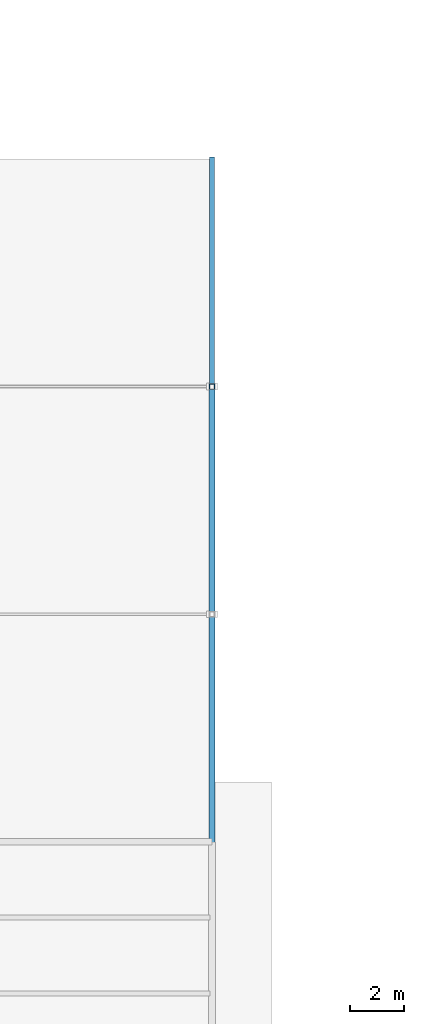
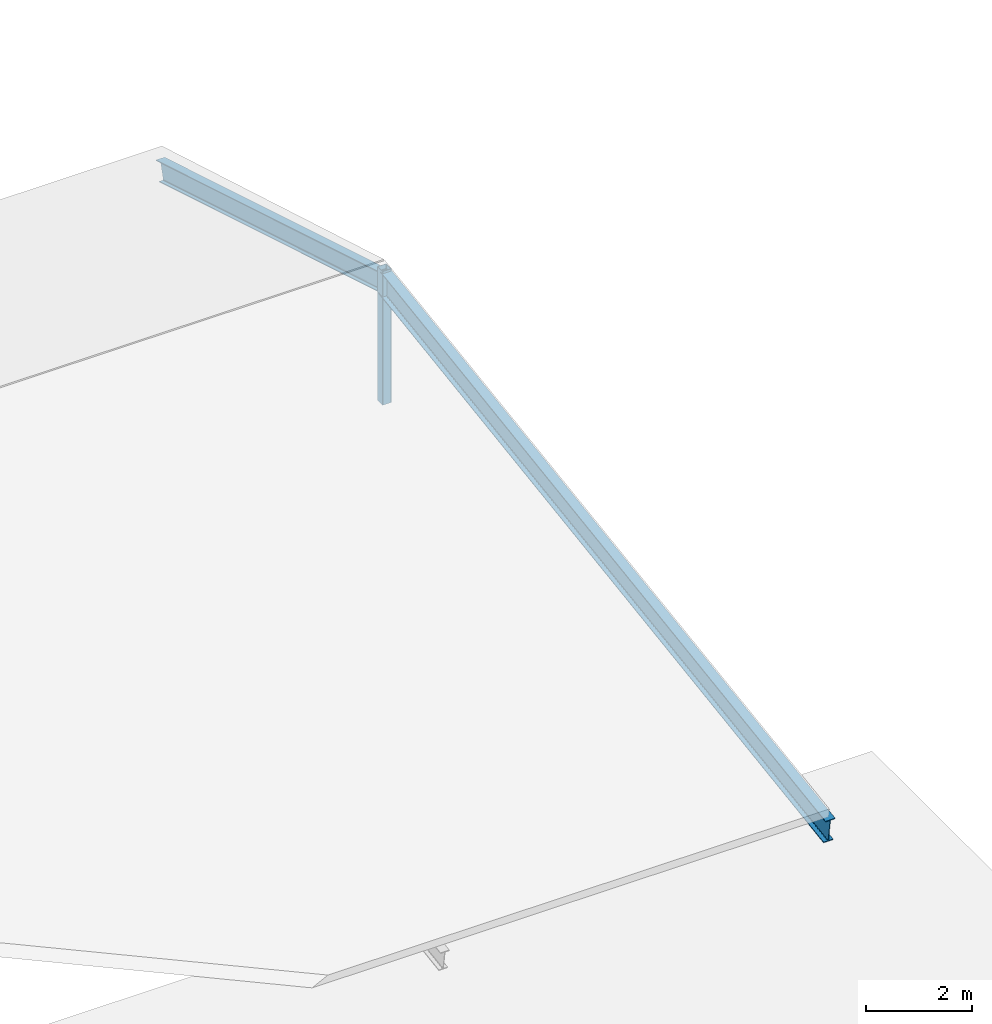
# One storey, part 6 of 31: 2 beams, 1 member.
"""IFC4 building model written with IfcOpenShell, lengths in metres."""

from ifc_helpers import new_model, si_unit, direction, frame, origin, origin_2d, place, context, subcontext, project, spatial, hollow_rectangle, i_section, extrude, material, material_profile, profile_set, type_object, element, save


model = new_model("IFC4")

# Units and contexts
model_context = context("Model", 3, precision=1e-05, world=origin(), true_north=direction((0.0, 1.0)))
body_context = subcontext(model_context, "Body", "Model", "MODEL_VIEW")
ifc_project = project(units=[si_unit("LENGTHUNIT", "METRE"), si_unit("AREAUNIT", "SQUARE_METRE"), si_unit("VOLUMEUNIT", "CUBIC_METRE"), si_unit("PLANEANGLEUNIT", "RADIAN"), si_unit("MASSUNIT", "GRAM", prefix="KILO")], contexts=[model_context])

# Site, building, storey
site_placement = place(None, origin())
site = spatial("IfcSite", under=ifc_project, at=site_placement, CompositionType="ELEMENT")
building_placement = place(site_placement, origin())
building = spatial("IfcBuilding", under=site, at=building_placement, Name="Varnapada Polytechnic", CompositionType="ELEMENT")
storey_placement = place(building_placement, frame((0.0, 0.0, 22.199951171875)))
storey = spatial("IfcBuildingStorey", under=building, at=storey_placement, Name="L05", CompositionType="ELEMENT", Elevation=22.199951171875)

# Beams
ifc_material = material(Name="Steel S355", Category="steel")
ifc_material_profile_1 = material_profile(ifc_material, i_section(OverallWidth=0.18994140625, OverallDepth=0.449951171875, WebThickness=0.009521484375, FlangeThickness=0.0146484375, FilletRadius=0.02099609375, at=origin_2d()), Name="IPE 450")
ifc_profile_set_1 = profile_set([ifc_material_profile_1], Name="Steel S355")
beam_type_1 = type_object("IfcBeamType", Name="Folded gable & library roof rafter SB-02 (IPE 450)", PredefinedType="BEAM", material=ifc_profile_set_1)
beam_1_placement = place(storey_placement, frame((50.39990234375, 42.0, 0.22509765625), z_axis=(0.0, -0.957671397107, 0.287863674617), x_axis=(1.0, 0.0, 0.0)))
element("IfcBeam", 1, at=beam_1_placement, inside=storey, type_object=beam_type_1, Name="Lecture pavilion north gable rafter X7", PredefinedType="BEAM", context=body_context, shape_type="SweptSolid", body=[
    extrude(i_section(OverallWidth=0.18994140625, OverallDepth=0.449951171875, WebThickness=0.009521484375, FlangeThickness=0.0146484375, FilletRadius=0.02099609375, at=origin_2d()), origin(), (0.0, 0.0, 1.0), 8.771240234375),
])
ifc_material_profile_2 = material_profile(ifc_material, i_section(OverallWidth=0.2099609375, OverallDepth=0.550048828125, WebThickness=0.010986328125, FlangeThickness=0.01708984375, FilletRadius=0.02392578125, at=origin_2d()), Name="IPE 550")
ifc_profile_set_2 = profile_set([ifc_material_profile_2], Name="Steel S355")
beam_type_2 = type_object("IfcBeamType", Name="Long-span lecture/workshop steel rafter SB-01 (IPE 550)", PredefinedType="BEAM", material=ifc_profile_set_2)
beam_2_placement = place(storey_placement, frame((50.39990234375, 16.800048828125, 0.275146484375), z_axis=(0.0, 0.989323010304, 0.145739429402), x_axis=(-1.0, 0.0, 0.0)))
element("IfcBeam", 2, at=beam_2_placement, inside=storey, type_object=beam_type_2, Name="Lecture pavilion south gable rafter X7", PredefinedType="BEAM", context=body_context, shape_type="SweptSolid", body=[
    extrude(i_section(OverallWidth=0.2099609375, OverallDepth=0.550048828125, WebThickness=0.010986328125, FlangeThickness=0.01708984375, FilletRadius=0.02392578125, at=origin_2d()), origin(), (0.0, 0.0, 1.0), 16.9814453125),
])

# Member
ifc_material_profile_3 = material_profile(ifc_material, hollow_rectangle(XDim=0.199951171875, YDim=0.199951171875, WallThickness=0.008056640625, InnerFilletRadius=0.008056640625, OuterFilletRadius=0.01611328125, at=origin_2d()), Name="SHS 200x200x8")
ifc_profile_set_3 = profile_set([ifc_material_profile_3], Name="Steel S355")
member_type = type_object("IfcMemberType", Name="Roof clerestory king post SFP-01 (SHS 200x200x8)", PredefinedType="POST", material=ifc_profile_set_3)
member_placement = place(storey_placement, frame((50.39990234375, 33.60009765625, -0.02001953125), z_axis=(0.0, 0.0, 1.0), x_axis=(1.0, 0.0, 0.0)))
element("IfcMember", 3, at=member_placement, inside=storey, type_object=member_type, Name="Lecture gable king post X7", PredefinedType="POST", context=body_context, shape_type="SweptSolid", body=[
    extrude(hollow_rectangle(XDim=0.199951171875, YDim=0.199951171875, WallThickness=0.008056640625, InnerFilletRadius=0.008056640625, OuterFilletRadius=0.01611328125, at=origin_2d()), origin(), (0.0, 0.0, 1.0), 3.080078125),
])

save(model, "model.ifc")
